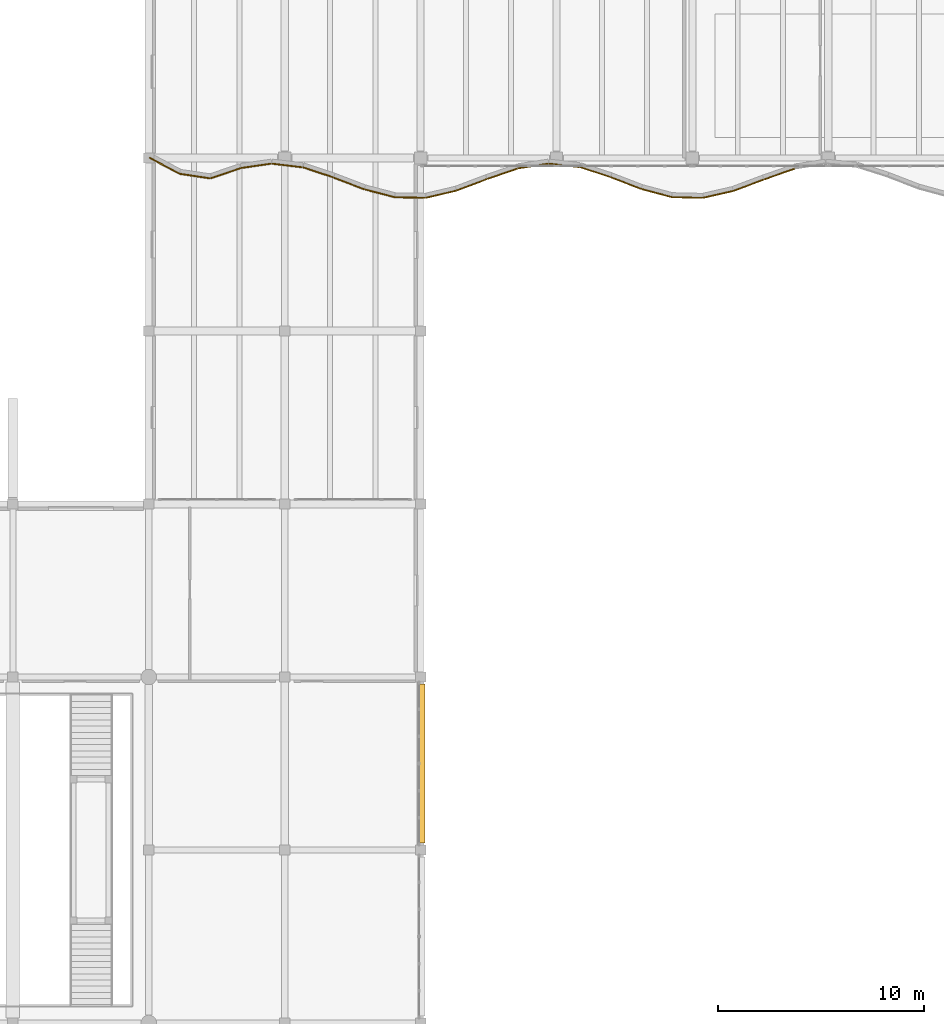
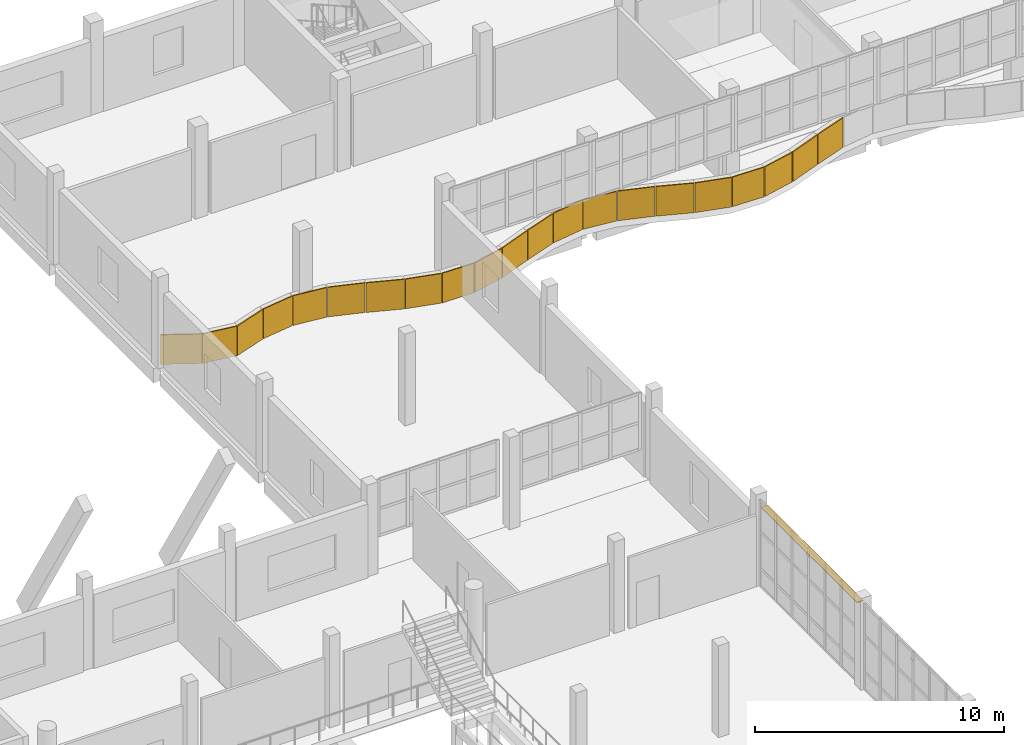
# One storey, part 68 of 76: 21 coverings, 1 shading device.
"""IFC4 building model written with IfcOpenShell, lengths in metres."""

from ifc_helpers import new_model, si_unit, direction, frame, origin, origin_2d, place, context, subcontext, project, spatial, rectangle, extrude, material, layer, layer_set, type_object, element, save


model = new_model("IFC4")

# Units and contexts
model_context = context("Model", 3, precision=1e-05, world=origin(), true_north=direction((0.0, 1.0)))
body_context = subcontext(model_context, "Body", "Model", "MODEL_VIEW")
ifc_project = project(units=[si_unit("LENGTHUNIT", "METRE"), si_unit("AREAUNIT", "SQUARE_METRE"), si_unit("VOLUMEUNIT", "CUBIC_METRE"), si_unit("PLANEANGLEUNIT", "RADIAN"), si_unit("MASSUNIT", "GRAM", prefix="KILO")], contexts=[model_context])

# Site, building, storey
site_placement = place(None, origin())
site = spatial("IfcSite", under=ifc_project, at=site_placement, CompositionType="ELEMENT")
building_placement = place(site_placement, origin())
building = spatial("IfcBuilding", under=site, at=building_placement, Name="Qaldarim Faculty of Natural and Applied Sciences", CompositionType="ELEMENT")
storey_placement = place(building_placement, frame((0.0, 0.0, 9.89990234375)))
storey = spatial("IfcBuildingStorey", under=building, at=storey_placement, Name="L02", CompositionType="ELEMENT", Elevation=9.89990234375)

# Coverings
ifc_material_1 = material(Name="White architectural precast concrete C40/50", Category="concrete")
ifc_layer_1 = layer(ifc_material_1, 0.06005859375)
ifc_layer_set_1 = layer_set([ifc_layer_1], Name="White architectural precast concrete C40/50")
covering_type = type_object("IfcCoveringType", Name="LimestoneSpandrelCladding-60", PredefinedType="CLADDING", material=ifc_layer_set_1)
covering_1_placement = place(storey_placement, frame((33.760009765625, 100.429931640625, 0.0), z_axis=(0.0, 0.0, 1.0), x_axis=(0.882923010175, -0.46951779317, 0.0)))
element("IfcCovering", 1, at=covering_1_placement, inside=storey, type_object=covering_type, Name="White limestone wave band fascia L02 chord 01", PredefinedType="CLADDING", context=body_context, shape_type="SweptSolid", body=[
    extrude(rectangle(XDim=1.655029296875, YDim=0.06005859375, at=origin_2d()), origin(), (0.0, 0.0, 1.0), 1.449951171875),
])
covering_2_placement = place(storey_placement, frame((35.2451171875, 99.925048828125, 0.0), z_axis=(0.0, 0.0, 1.0), x_axis=(0.988863133133, -0.14882776599, 0.0)))
element("IfcCovering", 2, at=covering_2_placement, inside=storey, type_object=covering_type, Name="White limestone wave band fascia L02 chord 02", PredefinedType="CLADDING", context=body_context, shape_type="SweptSolid", body=[
    extrude(rectangle(XDim=1.469970703125, YDim=0.06005859375, at=origin_2d()), origin(), (0.0, 0.0, 1.0), 1.449951171875),
])
covering_3_placement = place(storey_placement, frame((36.72998046875, 100.06494140625, 0.0), z_axis=(0.0, 0.0, 1.0), x_axis=(0.947405952336, 0.32003431297, 0.0)))
element("IfcCovering", 3, at=covering_3_placement, inside=storey, type_object=covering_type, Name="White limestone wave band fascia L02 chord 03", PredefinedType="CLADDING", context=body_context, shape_type="SweptSolid", body=[
    extrude(rectangle(XDim=1.5400390625, YDim=0.06005859375, at=origin_2d()), origin(), (0.0, 0.0, 1.0), 1.449951171875),
])
for number, where, z_axis, x_axis, name in (
    (4, (38.22509765625, 100.425048828125, 0.0), (0.0, 0.0, 1.0), (0.989748829878, 0.142818954471, 0.0), "White limestone wave band fascia L02 chord 04"),
    (5, (39.72509765625, 100.43994140625, 0.0), (0.0, 0.0, 1.0), (0.992830544117, -0.119530375507, 0.0), "White limestone wave band fascia L02 chord 05"),
):
    element("IfcCovering", number, at=place(storey_placement, frame(where, z_axis=z_axis, x_axis=x_axis)), inside=storey, type_object=covering_type, Name=name, PredefinedType="CLADDING", context=body_context, shape_type="SweptSolid", body=[
        extrude(rectangle(XDim=1.465087890625, YDim=0.06005859375, at=origin_2d()), origin(), (0.0, 0.0, 1.0), 1.449951171875),
    ])
covering_4_placement = place(storey_placement, frame((41.22998046875, 100.10498046875, 0.0), z_axis=(0.0, 0.0, 1.0), x_axis=(0.949315815758, -0.314323848843, 0.0)))
element("IfcCovering", 6, at=covering_4_placement, inside=storey, type_object=covering_type, Name="White limestone wave band fascia L02 chord 06", PredefinedType="CLADDING", context=body_context, shape_type="SweptSolid", body=[
    extrude(rectangle(XDim=1.534912109375, YDim=0.06005859375, at=origin_2d()), origin(), (0.0, 0.0, 1.0), 1.449951171875),
])
covering_5_placement = place(storey_placement, frame((42.72509765625, 99.56494140625, 0.0), z_axis=(0.0, 0.0, 1.0), x_axis=(0.934391133833, -0.356248802122, 0.0)))
element("IfcCovering", 7, at=covering_5_placement, inside=storey, type_object=covering_type, Name="White limestone wave band fascia L02 chord 07", PredefinedType="CLADDING", context=body_context, shape_type="SweptSolid", body=[
    extrude(rectangle(XDim=1.56005859375, YDim=0.06005859375, at=origin_2d()), origin(), (0.0, 0.0, 1.0), 1.449951171875),
])
covering_6_placement = place(storey_placement, frame((44.215087890625, 99.090087890625, 0.0), z_axis=(0.0, 0.0, 1.0), x_axis=(0.96761671724, -0.25242402524, 0.0)))
element("IfcCovering", 8, at=covering_6_placement, inside=storey, type_object=covering_type, Name="White limestone wave band fascia L02 chord 08", PredefinedType="CLADDING", context=body_context, shape_type="SweptSolid", body=[
    extrude(rectangle(XDim=1.5048828125, YDim=0.06005859375, at=origin_2d()), origin(), (0.0, 0.0, 1.0), 1.449951171875),
])
covering_7_placement = place(storey_placement, frame((45.699951171875, 98.885009765625, 0.0), z_axis=(0.0, 0.0, 1.0), x_axis=(0.999860219806, -0.016719475173, 0.0)))
element("IfcCovering", 9, at=covering_7_placement, inside=storey, type_object=covering_type, Name="White limestone wave band fascia L02 chord 09", PredefinedType="CLADDING", context=body_context, shape_type="SweptSolid", body=[
    extrude(rectangle(XDim=1.455078125, YDim=0.06005859375, at=origin_2d()), origin(), (0.0, 0.0, 1.0), 1.449951171875),
])
covering_8_placement = place(storey_placement, frame((47.195068359375, 99.044921875, 0.0), z_axis=(0.0, 0.0, 1.0), x_axis=(0.973674468847, 0.227943038312, 0.0)))
element("IfcCovering", 10, at=covering_8_placement, inside=storey, type_object=covering_type, Name="White limestone wave band fascia L02 chord 10", PredefinedType="CLADDING", context=body_context, shape_type="SweptSolid", body=[
    extrude(rectangle(XDim=1.4951171875, YDim=0.06005859375, at=origin_2d()), origin(), (0.0, 0.0, 1.0), 1.449951171875),
])
covering_9_placement = place(storey_placement, frame((48.679931640625, 99.5, 0.0), z_axis=(0.0, 0.0, 1.0), x_axis=(0.935425521648, 0.35352382303, 0.0)))
element("IfcCovering", 11, at=covering_9_placement, inside=storey, type_object=covering_type, Name="White limestone wave band fascia L02 chord 11", PredefinedType="CLADDING", context=body_context, shape_type="SweptSolid", body=[
    extrude(rectangle(XDim=1.56005859375, YDim=0.06005859375, at=origin_2d()), origin(), (0.0, 0.0, 1.0), 1.449951171875),
])
covering_10_placement = place(storey_placement, frame((50.175048828125, 100.0400390625, 0.0), z_axis=(0.0, 0.0, 1.0), x_axis=(0.945137219394, 0.326673593233, 0.0)))
element("IfcCovering", 12, at=covering_10_placement, inside=storey, type_object=covering_type, Name="White limestone wave band fascia L02 chord 12", PredefinedType="CLADDING", context=body_context, shape_type="SweptSolid", body=[
    extrude(rectangle(XDim=1.534912109375, YDim=0.06005859375, at=origin_2d()), origin(), (0.0, 0.0, 1.0), 1.449951171875),
])
covering_11_placement = place(storey_placement, frame((51.675048828125, 100.4150390625, 0.0), z_axis=(0.0, 0.0, 1.0), x_axis=(0.988372128275, 0.152054385169, 0.0)))
element("IfcCovering", 13, at=covering_11_placement, inside=storey, type_object=covering_type, Name="White limestone wave band fascia L02 chord 13", PredefinedType="CLADDING", context=body_context, shape_type="SweptSolid", body=[
    extrude(rectangle(XDim=1.47509765625, YDim=0.06005859375, at=origin_2d()), origin(), (0.0, 0.0, 1.0), 1.449951171875),
])
covering_12_placement = place(storey_placement, frame((53.175048828125, 100.445068359375, 0.0), z_axis=(0.0, 0.0, 1.0), x_axis=(0.993597515096, -0.112977776553, 0.0)))
element("IfcCovering", 14, at=covering_12_placement, inside=storey, type_object=covering_type, Name="White limestone wave band fascia L02 chord 14", PredefinedType="CLADDING", context=body_context, shape_type="SweptSolid", body=[
    extrude(rectangle(XDim=1.465087890625, YDim=0.06005859375, at=origin_2d()), origin(), (0.0, 0.0, 1.0), 1.449951171875),
])
covering_13_placement = place(storey_placement, frame((54.679931640625, 100.1201171875, 0.0), z_axis=(0.0, 0.0, 1.0), x_axis=(0.951196645833, -0.308585386816, 0.0)))
element("IfcCovering", 15, at=covering_13_placement, inside=storey, type_object=covering_type, Name="White limestone wave band fascia L02 chord 15", PredefinedType="CLADDING", context=body_context, shape_type="SweptSolid", body=[
    extrude(rectangle(XDim=1.530029296875, YDim=0.06005859375, at=origin_2d()), origin(), (0.0, 0.0, 1.0), 1.449951171875),
])
covering_14_placement = place(storey_placement, frame((56.175048828125, 99.5849609375, 0.0), z_axis=(0.0, 0.0, 1.0), x_axis=(0.933342542564, -0.358987044669, 0.0)))
element("IfcCovering", 16, at=covering_14_placement, inside=storey, type_object=covering_type, Name="White limestone wave band fascia L02 chord 16", PredefinedType="CLADDING", context=body_context, shape_type="SweptSolid", body=[
    extrude(rectangle(XDim=1.56005859375, YDim=0.06005859375, at=origin_2d()), origin(), (0.0, 0.0, 1.0), 1.449951171875),
])
covering_15_placement = place(storey_placement, frame((57.6650390625, 99.10009765625, 0.0), z_axis=(0.0, 0.0, 1.0), x_axis=(0.966020623542, -0.25846499742, 0.0)))
element("IfcCovering", 17, at=covering_15_placement, inside=storey, type_object=covering_type, Name="White limestone wave band fascia L02 chord 17", PredefinedType="CLADDING", context=body_context, shape_type="SweptSolid", body=[
    extrude(rectangle(XDim=1.510009765625, YDim=0.06005859375, at=origin_2d()), origin(), (0.0, 0.0, 1.0), 1.449951171875),
])
covering_16_placement = place(storey_placement, frame((59.155029296875, 98.885009765625, 0.0), z_axis=(0.0, 0.0, 1.0), x_axis=(0.999726118644, -0.023402728511, 0.0)))
element("IfcCovering", 18, at=covering_16_placement, inside=storey, type_object=covering_type, Name="White limestone wave band fascia L02 chord 18", PredefinedType="CLADDING", context=body_context, shape_type="SweptSolid", body=[
    extrude(rectangle(XDim=1.455078125, YDim=0.06005859375, at=origin_2d()), origin(), (0.0, 0.0, 1.0), 1.449951171875),
])
covering_17_placement = place(storey_placement, frame((60.639892578125, 99.034912109375, 0.0), z_axis=(0.0, 0.0, 1.0), x_axis=(0.974940116702, 0.222467455701, 0.0)))
element("IfcCovering", 19, at=covering_17_placement, inside=storey, type_object=covering_type, Name="White limestone wave band fascia L02 chord 19", PredefinedType="CLADDING", context=body_context, shape_type="SweptSolid", body=[
    extrude(rectangle(XDim=1.489990234375, YDim=0.06005859375, at=origin_2d()), origin(), (0.0, 0.0, 1.0), 1.449951171875),
])
covering_18_placement = place(storey_placement, frame((62.125, 99.47998046875, 0.0), z_axis=(0.0, 0.0, 1.0), x_axis=(0.936458084984, 0.350779496363, 0.0)))
element("IfcCovering", 20, at=covering_18_placement, inside=storey, type_object=covering_type, Name="White limestone wave band fascia L02 chord 20", PredefinedType="CLADDING", context=body_context, shape_type="SweptSolid", body=[
    extrude(rectangle(XDim=1.554931640625, YDim=0.06005859375, at=origin_2d()), origin(), (0.0, 0.0, 1.0), 1.449951171875),
])
covering_19_placement = place(storey_placement, frame((63.625, 100.02490234375, 0.0), z_axis=(0.0, 0.0, 1.0), x_axis=(0.943512164028, 0.331337888463, 0.0)))
element("IfcCovering", 21, at=covering_19_placement, inside=storey, type_object=covering_type, Name="White limestone wave band fascia L02 chord 21", PredefinedType="CLADDING", context=body_context, shape_type="SweptSolid", body=[
    extrude(rectangle(XDim=1.544921875, YDim=0.06005859375, at=origin_2d()), origin(), (0.0, 0.0, 1.0), 1.449951171875),
])

# Shading device
ifc_material_2 = material(Name="Champagne anodised aluminium AW-6063", Category="aluminium")
ifc_layer_2 = layer(ifc_material_2, 0.050048828125)
ifc_layer_set_2 = layer_set([ifc_layer_2], Name="Champagne anodised aluminium AW-6063")
shading_device_type = type_object("IfcShadingDeviceType", Name="SolarLouvre-ALU300x50", PredefinedType="JALOUSIE", material=ifc_layer_set_2)
shading_device_placement = place(storey_placement, frame((46.27001953125, 71.39990234375, 3.865234375), z_axis=(0.0, 0.0, 1.0), x_axis=(0.0, 1.0, 0.0)))
element("IfcShadingDevice", 22, at=shading_device_placement, inside=storey, type_object=shading_device_type, Name="Horizontal solar louvre L02 E X07Y09", PredefinedType="JALOUSIE", context=body_context, shape_type="SweptSolid", body=[
    extrude(rectangle(XDim=7.7099609375, YDim=0.300048828125, at=origin_2d()), origin(), (0.0, 0.0, 1.0), 0.050048828125),
])

save(model, "model.ifc")
